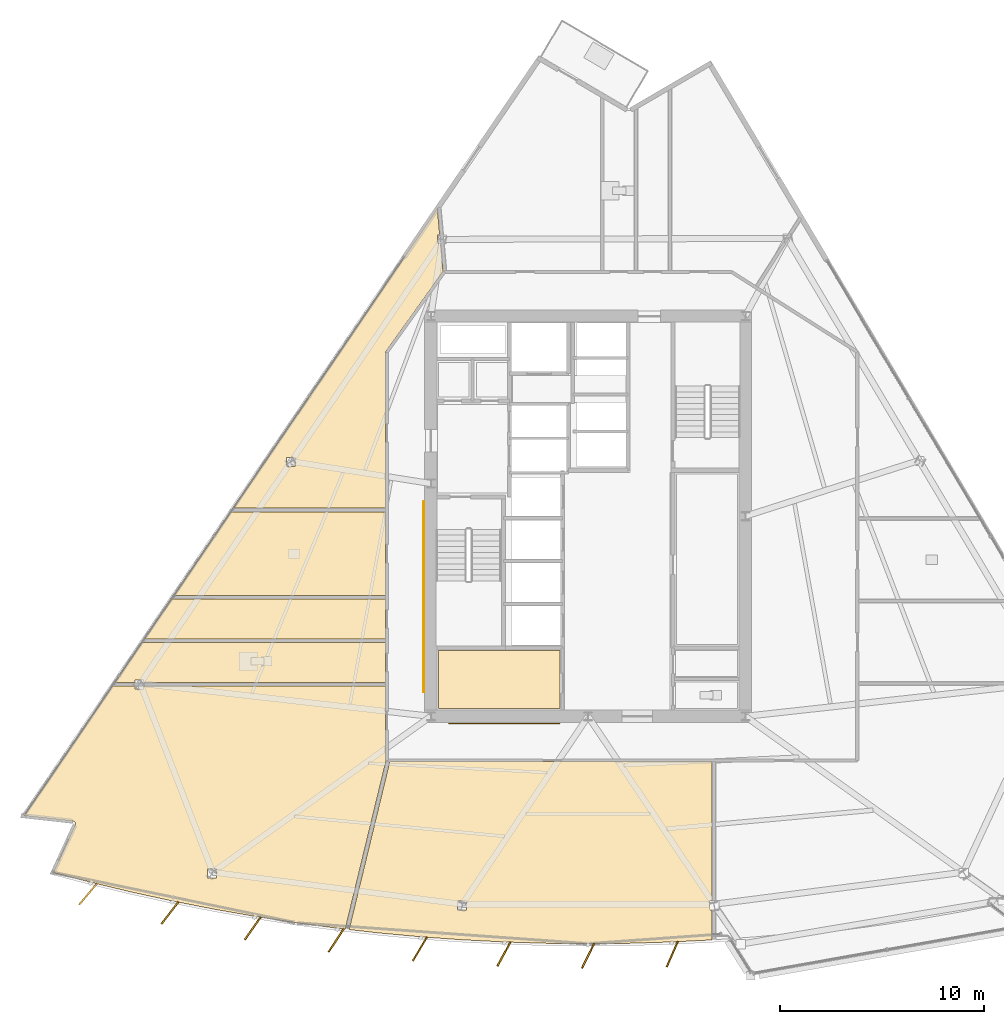
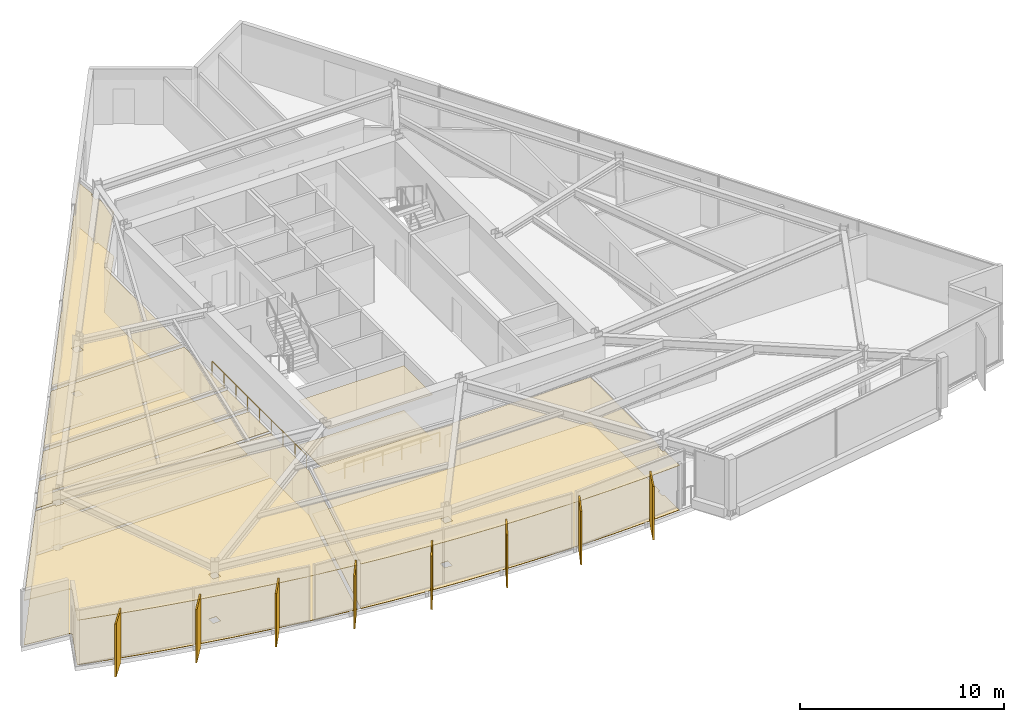
# One storey, part 11 of 15: 14 coverings, 8 shading devices, 2 railings.
"""IFC4 building model written with IfcOpenShell, lengths in metres."""

from ifc_helpers import new_model, si_unit, direction, frame, origin, origin_2d, place, context, subcontext, project, spatial, polyline, rectangle, circle, outline, extrude, material, layer, layer_set, type_object, element, save


model = new_model("IFC4")

# Units and contexts
model_context = context("Model", 3, precision=1e-05, world=origin(), true_north=direction((0.0, 1.0)))
body_context = subcontext(model_context, "Body", "Model", "MODEL_VIEW")
ifc_project = project(units=[si_unit("LENGTHUNIT", "METRE"), si_unit("AREAUNIT", "SQUARE_METRE"), si_unit("VOLUMEUNIT", "CUBIC_METRE"), si_unit("PLANEANGLEUNIT", "RADIAN"), si_unit("MASSUNIT", "GRAM", prefix="KILO")], contexts=[model_context])

# Site, building, storey
site_placement = place(None, origin())
site = spatial("IfcSite", under=ifc_project, at=site_placement, CompositionType="ELEMENT")
building_placement = place(site_placement, origin())
building = spatial("IfcBuilding", under=site, at=building_placement, Name="Savorim Split Tower", CompositionType="ELEMENT")
storey_placement = place(building_placement, frame((0.0, 0.0, 122.10009765625)))
storey = spatial("IfcBuildingStorey", under=building, at=storey_placement, Name="L32", CompositionType="ELEMENT", Elevation=122.10009765625)

# Coverings
ifc_material_1 = material(Name="Mineral Fibre Acoustic Ceiling")
ifc_layer_1 = layer(ifc_material_1, 0.02490234375)
ifc_layer_set_1 = layer_set([ifc_layer_1], Name="COV-CEIL-25")
covering_type_1 = type_object("IfcCoveringType", Name="COV-CEIL-25", PredefinedType="CEILING", material=ifc_layer_set_1)
covering_1_placement = place(storey_placement, frame((0.0, 0.0, 2.669921875)))
element("IfcCovering", 1, at=covering_1_placement, inside=storey, type_object=covering_type_1, Name="L32 Housekeeping Store Acoustic Ceiling", PredefinedType="CEILING", context=body_context, shape_type="SweptSolid", body=[
    extrude(outline(polyline([(-7.320068359375, -6.179931640625), (-7.320068359375, -9.02001953125), (-1.3798828125, -9.02001953125), (-1.3798828125, -6.179931640625), (-7.320068359375, -6.179931640625)])), origin(), (0.0, 0.0, 1.0), 0.02490234375),
])
covering_2_placement = place(storey_placement, frame((0.0, 0.0, 2.669921875)))
element("IfcCovering", 2, at=covering_2_placement, inside=storey, type_object=covering_type_1, Name="L32 Shared Kitchen Acoustic Ceiling", PredefinedType="CEILING", context=body_context, shape_type="SweptSolid", body=[
    extrude(outline(polyline([(-17.4912109375, 0.6025390625), (-20.262939453125, -3.4716796875), (-9.919921875, -3.4716796875), (-9.919921875, 0.6025390625), (-17.4912109375, 0.6025390625)])), origin(), (0.0, 0.0, 1.0), 0.02490234375),
])
covering_3_placement = place(storey_placement, frame((0.0, 0.0, 2.669921875)))
element("IfcCovering", 3, at=covering_3_placement, inside=storey, type_object=covering_type_1, Name="L32 Co-Living Bedroom Acoustic Ceiling", PredefinedType="CEILING", context=body_context, shape_type="SweptSolid", body=[
    extrude(outline(polyline([(-20.39208984375, -3.66162109375), (-21.71337890625, -5.60400390625), (-9.919921875, -5.60400390625), (-9.919921875, -3.661865234375), (-20.39208984375, -3.66162109375)])), origin(), (0.0, 0.0, 1.0), 0.02490234375),
])
covering_4_placement = place(storey_placement, frame((0.0, 0.0, 2.669921875)))
element("IfcCovering", 4, at=covering_4_placement, inside=storey, type_object=covering_type_1, Name="L32 Shared Bathroom Acoustic Ceiling", PredefinedType="CEILING", context=body_context, shape_type="SweptSolid", body=[
    extrude(outline(polyline([(-21.7626953125, -7.613037109375), (-21.7626953125, -7.736083984375), (-9.919921875, -7.736083984375), (-9.919921875, -5.7939453125), (-21.8427734375, -5.7939453125), (-23.163818359375, -7.736083984375), (-22.188720703125, -7.736083984375), (-22.188720703125, -7.613037109375), (-21.7626953125, -7.613037109375)])), origin(), (0.0, 0.0, 1.0), 0.02490234375),
])
covering_5_placement = place(storey_placement, frame((0.0, 0.0, 2.669921875)))
element("IfcCovering", 5, at=covering_5_placement, inside=storey, type_object=covering_type_1, Name="L32 Maker Workshop Acoustic Ceiling", PredefinedType="CEILING", context=body_context, shape_type="SweptSolid", body=[
    extrude(outline(polyline([(-25.099609375, -14.64453125), (-25.099365234375, -14.656494140625), (-25.100341796875, -14.66845703125), (-25.1025390625, -14.68017578125), (-25.105712890625, -14.691650390625), (-25.1103515625, -14.70263671875), (-26.186279296875, -17.044921875), (-24.34130859375, -17.52734375), (-22.348876953125, -18.005126953125), (-20.34716796875, -18.44189453125), (-18.336669921875, -18.837890625), (-16.318603515625, -19.1923828125), (-14.2939453125, -19.505615234375), (-12.262939453125, -19.77734375), (-11.89306640625, -19.819091796875), (-9.89208984375, -11.563720703125), (-9.896484375, -11.557861328125), (-9.903564453125, -11.5458984375), (-9.9091796875, -11.53369140625), (-9.9140625, -11.5205078125), (-9.917236328125, -11.50732421875), (-9.919189453125, -11.49365234375), (-9.919921875, -11.47998046875), (-9.919921875, -7.926025390625), (-21.7626953125, -7.926025390625), (-21.7626953125, -8.049072265625), (-22.188720703125, -8.049072265625), (-22.188720703125, -7.926025390625), (-23.168212890625, -7.926025390625), (-23.26318359375, -7.926025390625), (-23.26318359375, -7.8818359375), (-27.605712890625, -14.265380859375), (-25.2060546875, -14.533203125), (-25.194091796875, -14.535400390625), (-25.1826171875, -14.538330078125), (-25.17138671875, -14.54248046875), (-25.160888671875, -14.5478515625), (-25.150634765625, -14.55419921875), (-25.141357421875, -14.561279296875), (-25.132568359375, -14.569580078125), (-25.124755859375, -14.57861328125), (-25.117919921875, -14.58837890625), (-25.112060546875, -14.598876953125), (-25.107177734375, -14.609619140625), (-25.103515625, -14.62109375), (-25.10107421875, -14.6328125), (-25.099609375, -14.64453125)]), holes=[polyline([(-18.62890625, -17.311279296875), (-18.202880859375, -17.311279296875), (-18.202880859375, -16.875244140625), (-18.62890625, -16.875244140625), (-18.62890625, -17.311279296875)])]), origin(), (0.0, 0.0, 1.0), 0.02490234375),
])
covering_6_placement = place(storey_placement, frame((0.0, 0.0, 2.669921875)))
element("IfcCovering", 6, at=covering_6_placement, inside=storey, type_object=covering_type_1, Name="L32 Co-Working Commons Acoustic Ceiling", PredefinedType="CEILING", context=body_context, shape_type="SweptSolid", body=[
    extrude(outline(polyline([(5.959228515625, -18.447021484375), (6.0771484375, -18.447021484375), (6.0771484375, -11.6201171875), (-9.710205078125, -11.6201171875), (-11.70263671875, -19.8408203125), (-10.22705078125, -20.007568359375), (-8.186767578125, -20.196044921875), (-6.14306640625, -20.342529296875), (-4.0966796875, -20.447509765625), (-2.048828125, -20.51025390625), (0.0, -20.53125), (2.048828125, -20.51025390625), (4.0966796875, -20.447509765625), (6.0771484375, -20.345947265625), (6.0771484375, -18.883056640625), (5.959228515625, -18.883056640625), (5.959228515625, -18.447021484375)]), holes=[polyline([(-6.38525390625, -18.883056640625), (-5.959228515625, -18.883056640625), (-5.959228515625, -18.447021484375), (-6.38525390625, -18.447021484375), (-6.38525390625, -18.883056640625)])]), origin(), (0.0, 0.0, 1.0), 0.02490234375),
])
covering_7_placement = place(storey_placement, frame((0.0, 0.0, 2.669921875)))
element("IfcCovering", 7, at=covering_7_placement, inside=storey, type_object=covering_type_1, Name="L32 Maker Workshop Acoustic Ceiling", PredefinedType="CEILING", context=body_context, shape_type="SweptSolid", body=[
    extrude(outline(polyline([(-7.11376953125, 12.361572265625), (-7.105712890625, 12.3720703125), (-7.1044921875, 12.373046875), (-7.22802734375, 13.740966796875), (-7.365478515625, 13.740966796875), (-7.365478515625, 14.177001953125), (-7.267578125, 14.177001953125), (-7.383544921875, 15.4609375), (-17.362060546875, 0.79248046875), (-9.919921875, 0.79248046875), (-9.919921875, 8.39990234375), (-9.919189453125, 8.41455078125), (-9.9169921875, 8.4287109375), (-9.913330078125, 8.44287109375), (-9.908203125, 8.456298828125), (-9.901611328125, 8.46923828125), (-9.893798828125, 8.4814453125), (-7.11376953125, 12.361572265625)]), holes=[polyline([(-14.777099609375, 3.281982421875), (-14.777099609375, 2.845947265625), (-14.35107421875, 2.845947265625), (-14.35107421875, 3.281982421875), (-14.777099609375, 3.281982421875)])]), origin(), (0.0, 0.0, 1.0), 0.02490234375),
])
ifc_material_2 = material(Name="Porcelain Stoneware Flooring", Category="masonry")
ifc_layer_2 = layer(ifc_material_2, 0.02001953125)
ifc_layer_set_2 = layer_set([ifc_layer_2], Name="COV-FLOR-20")
covering_type_2 = type_object("IfcCoveringType", Name="COV-FLOR-20", PredefinedType="FLOORING", material=ifc_layer_set_2)
covering_8_placement = place(storey_placement, origin())
element("IfcCovering", 8, at=covering_8_placement, inside=storey, type_object=covering_type_2, Name="L32 Housekeeping Store Porcelain Flooring", PredefinedType="FLOORING", context=body_context, shape_type="SweptSolid", body=[
    extrude(outline(polyline([(-7.320068359375, -6.179931640625), (-7.320068359375, -9.02001953125), (-1.3798828125, -9.02001953125), (-1.3798828125, -6.179931640625), (-7.320068359375, -6.179931640625)])), origin(), (0.0, 0.0, 1.0), 0.02001953125),
])
covering_9_placement = place(storey_placement, origin())
element("IfcCovering", 9, at=covering_9_placement, inside=storey, type_object=covering_type_2, Name="L32 Shared Kitchen Porcelain Flooring", PredefinedType="FLOORING", context=body_context, shape_type="SweptSolid", body=[
    extrude(outline(polyline([(-17.4912109375, 0.6025390625), (-20.262939453125, -3.4716796875), (-9.919921875, -3.4716796875), (-9.919921875, 0.6025390625), (-17.4912109375, 0.6025390625)])), origin(), (0.0, 0.0, 1.0), 0.02001953125),
])
covering_10_placement = place(storey_placement, origin())
element("IfcCovering", 10, at=covering_10_placement, inside=storey, type_object=covering_type_2, Name="L32 Co-Living Bedroom Porcelain Flooring", PredefinedType="FLOORING", context=body_context, shape_type="SweptSolid", body=[
    extrude(outline(polyline([(-20.39208984375, -3.66162109375), (-21.71337890625, -5.60400390625), (-9.919921875, -5.60400390625), (-9.919921875, -3.661865234375), (-20.39208984375, -3.66162109375)])), origin(), (0.0, 0.0, 1.0), 0.02001953125),
])
covering_11_placement = place(storey_placement, origin())
element("IfcCovering", 11, at=covering_11_placement, inside=storey, type_object=covering_type_2, Name="L32 Shared Bathroom Porcelain Flooring", PredefinedType="FLOORING", context=body_context, shape_type="SweptSolid", body=[
    extrude(outline(polyline([(-21.7626953125, -7.613037109375), (-21.7626953125, -7.736083984375), (-9.919921875, -7.736083984375), (-9.919921875, -5.7939453125), (-21.8427734375, -5.7939453125), (-23.163818359375, -7.736083984375), (-22.188720703125, -7.736083984375), (-22.188720703125, -7.613037109375), (-21.7626953125, -7.613037109375)])), origin(), (0.0, 0.0, 1.0), 0.02001953125),
])
covering_12_placement = place(storey_placement, origin())
element("IfcCovering", 12, at=covering_12_placement, inside=storey, type_object=covering_type_2, Name="L32 Maker Workshop Porcelain Flooring", PredefinedType="FLOORING", context=body_context, shape_type="SweptSolid", body=[
    extrude(outline(polyline([(-25.099609375, -14.64453125), (-25.099365234375, -14.656494140625), (-25.100341796875, -14.66845703125), (-25.1025390625, -14.68017578125), (-25.105712890625, -14.691650390625), (-25.1103515625, -14.70263671875), (-26.186279296875, -17.044921875), (-24.34130859375, -17.52734375), (-22.348876953125, -18.005126953125), (-20.34716796875, -18.44189453125), (-18.336669921875, -18.837890625), (-16.318603515625, -19.1923828125), (-14.2939453125, -19.505615234375), (-12.262939453125, -19.77734375), (-11.89306640625, -19.819091796875), (-9.89208984375, -11.563720703125), (-9.896484375, -11.557861328125), (-9.903564453125, -11.5458984375), (-9.9091796875, -11.53369140625), (-9.9140625, -11.5205078125), (-9.917236328125, -11.50732421875), (-9.919189453125, -11.49365234375), (-9.919921875, -11.47998046875), (-9.919921875, -7.926025390625), (-21.7626953125, -7.926025390625), (-21.7626953125, -8.049072265625), (-22.188720703125, -8.049072265625), (-22.188720703125, -7.926025390625), (-23.168212890625, -7.926025390625), (-23.26318359375, -7.926025390625), (-23.26318359375, -7.8818359375), (-27.605712890625, -14.265380859375), (-25.2060546875, -14.533203125), (-25.194091796875, -14.535400390625), (-25.1826171875, -14.538330078125), (-25.17138671875, -14.54248046875), (-25.160888671875, -14.5478515625), (-25.150634765625, -14.55419921875), (-25.141357421875, -14.561279296875), (-25.132568359375, -14.569580078125), (-25.124755859375, -14.57861328125), (-25.117919921875, -14.58837890625), (-25.112060546875, -14.598876953125), (-25.107177734375, -14.609619140625), (-25.103515625, -14.62109375), (-25.10107421875, -14.6328125), (-25.099609375, -14.64453125)]), holes=[polyline([(-18.62890625, -17.311279296875), (-18.202880859375, -17.311279296875), (-18.202880859375, -16.875244140625), (-18.62890625, -16.875244140625), (-18.62890625, -17.311279296875)])]), origin(), (0.0, 0.0, 1.0), 0.02001953125),
])
covering_13_placement = place(storey_placement, origin())
element("IfcCovering", 13, at=covering_13_placement, inside=storey, type_object=covering_type_2, Name="L32 Co-Working Commons Porcelain Flooring", PredefinedType="FLOORING", context=body_context, shape_type="SweptSolid", body=[
    extrude(outline(polyline([(5.959228515625, -18.447021484375), (6.0771484375, -18.447021484375), (6.0771484375, -11.6201171875), (-9.710205078125, -11.6201171875), (-11.70263671875, -19.8408203125), (-10.22705078125, -20.007568359375), (-8.186767578125, -20.196044921875), (-6.14306640625, -20.342529296875), (-4.0966796875, -20.447509765625), (-2.048828125, -20.51025390625), (0.0, -20.53125), (2.048828125, -20.51025390625), (4.0966796875, -20.447509765625), (6.0771484375, -20.345947265625), (6.0771484375, -18.883056640625), (5.959228515625, -18.883056640625), (5.959228515625, -18.447021484375)]), holes=[polyline([(-6.38525390625, -18.883056640625), (-5.959228515625, -18.883056640625), (-5.959228515625, -18.447021484375), (-6.38525390625, -18.447021484375), (-6.38525390625, -18.883056640625)])]), origin(), (0.0, 0.0, 1.0), 0.02001953125),
])
covering_14_placement = place(storey_placement, origin())
element("IfcCovering", 14, at=covering_14_placement, inside=storey, type_object=covering_type_2, Name="L32 Maker Workshop Porcelain Flooring", PredefinedType="FLOORING", context=body_context, shape_type="SweptSolid", body=[
    extrude(outline(polyline([(-7.11376953125, 12.361572265625), (-7.105712890625, 12.3720703125), (-7.1044921875, 12.373046875), (-7.22802734375, 13.740966796875), (-7.365478515625, 13.740966796875), (-7.365478515625, 14.177001953125), (-7.267578125, 14.177001953125), (-7.383544921875, 15.4609375), (-17.362060546875, 0.79248046875), (-9.919921875, 0.79248046875), (-9.919921875, 8.39990234375), (-9.919189453125, 8.41455078125), (-9.9169921875, 8.4287109375), (-9.913330078125, 8.44287109375), (-9.908203125, 8.456298828125), (-9.901611328125, 8.46923828125), (-9.893798828125, 8.4814453125), (-7.11376953125, 12.361572265625)]), holes=[polyline([(-14.777099609375, 3.281982421875), (-14.777099609375, 2.845947265625), (-14.35107421875, 2.845947265625), (-14.35107421875, 3.281982421875), (-14.777099609375, 3.281982421875)])]), origin(), (0.0, 0.0, 1.0), 0.02001953125),
])

# Railings
ifc_material_3 = material(Name="Galvanised Painted Steel Balustrade", Category="steel")
railing_type = type_object("IfcRailingType", Name="RLG-HR-900", PredefinedType="HANDRAIL", material=ifc_material_3)
railing_1_placement = place(storey_placement, frame((-6.800048828125, -9.75, 0.0)))
element("IfcRailing", 15, at=railing_1_placement, inside=storey, type_object=railing_type, Name="L32 Corridor South Accessible Handrail", PredefinedType="HANDRAIL", context=body_context, shape_type="SweptSolid", body=[
    extrude(circle(Radius=0.02392578125, at=origin_2d()), frame((0.0, 0.0, 0.8759765625), z_axis=(1.0, 0.0, 0.0), x_axis=(0.0, 1.0, 0.0)), (0.0, 0.0, 1.0), 5.400146484375),
    extrude(circle(Radius=0.02099609375, at=origin_2d()), origin(), (0.0, 0.0, 1.0), 0.851806640625),
    extrude(circle(Radius=0.02099609375, at=origin_2d()), frame((1.080078125, 0.0, 0.0)), (0.0, 0.0, 1.0), 0.851806640625),
    extrude(circle(Radius=0.02099609375, at=origin_2d()), frame((2.16015625, 0.0, 0.0)), (0.0, 0.0, 1.0), 0.851806640625),
    extrude(circle(Radius=0.02099609375, at=origin_2d()), frame((3.239990234375, 0.0, 0.0)), (0.0, 0.0, 1.0), 0.851806640625),
    extrude(circle(Radius=0.02099609375, at=origin_2d()), frame((4.320068359375, 0.0, 0.0)), (0.0, 0.0, 1.0), 0.851806640625),
    extrude(circle(Radius=0.02099609375, at=origin_2d()), frame((5.400146484375, 0.0, 0.0)), (0.0, 0.0, 1.0), 0.851806640625),
])
railing_2_placement = place(storey_placement, frame((-8.050048828125, -8.199951171875, 0.0)))
element("IfcRailing", 16, at=railing_2_placement, inside=storey, type_object=railing_type, Name="L32 Corridor West Accessible Handrail", PredefinedType="HANDRAIL", context=body_context, shape_type="SweptSolid", body=[
    extrude(circle(Radius=0.02392578125, at=origin_2d()), frame((0.0, 0.0, 0.8759765625), z_axis=(0.0, 1.0, 0.0), x_axis=(-1.0, 0.0, 0.0)), (0.0, 0.0, 1.0), 9.300048828125),
    extrude(circle(Radius=0.02099609375, at=origin_2d()), origin(), (0.0, 0.0, 1.0), 0.851806640625),
    extrude(circle(Radius=0.02099609375, at=origin_2d()), frame((0.0, 1.16259765625, 0.0)), (0.0, 0.0, 1.0), 0.851806640625),
    extrude(circle(Radius=0.02099609375, at=origin_2d()), frame((0.0, 2.324951171875, 0.0)), (0.0, 0.0, 1.0), 0.851806640625),
    extrude(circle(Radius=0.02099609375, at=origin_2d()), frame((0.0, 3.487548828125, 0.0)), (0.0, 0.0, 1.0), 0.851806640625),
    extrude(circle(Radius=0.02099609375, at=origin_2d()), frame((0.0, 4.64990234375, 0.0)), (0.0, 0.0, 1.0), 0.851806640625),
    extrude(circle(Radius=0.02099609375, at=origin_2d()), frame((0.0, 5.8125, 0.0)), (0.0, 0.0, 1.0), 0.851806640625),
    extrude(circle(Radius=0.02099609375, at=origin_2d()), frame((0.0, 6.97509765625, 0.0)), (0.0, 0.0, 1.0), 0.851806640625),
    extrude(circle(Radius=0.02099609375, at=origin_2d()), frame((0.0, 8.137451171875, 0.0)), (0.0, 0.0, 1.0), 0.851806640625),
    extrude(circle(Radius=0.02099609375, at=origin_2d()), frame((0.0, 9.300048828125, 0.0)), (0.0, 0.0, 1.0), 0.851806640625),
])

# Shading devices
ifc_material_4 = material(Name="Terracotta Ceramic-Coated Aluminium Fin", Category="masonry")
shading_device_type = type_object("IfcShadingDeviceType", Name="SHD-FIN-1360", PredefinedType="USERDEFINED", material=ifc_material_4)
for number, where, z_axis, x_axis, name in (
    (17, (-24.486328125, -18.105712890625, -0.2001953125), (0.0, 0.0, 1.0), (-0.643719022682, -0.765261928909, 0.0), "L32 Sawtooth Shading Fin 01"),
    (18, (-20.46826171875, -19.025634765625, -0.2001953125), (0.0, 0.0, 1.0), (-0.611868076908, -0.790959832394, 0.0), "L32 Sawtooth Shading Fin 02"),
    (19, (-16.415771484375, -19.780517578125, -0.2001953125), (0.0, 0.0, 1.0), (-0.578993757737, -0.815331974414, 0.0), "L32 Sawtooth Shading Fin 03"),
    (20, (-12.3359375, -20.368896484375, -0.2001953125), (0.0, 0.0, 1.0), (-0.545148321708, -0.838339613366, 0.0), "L32 Sawtooth Shading Fin 04"),
    (21, (-8.235595703125, -20.7900390625, -0.2001953125), (0.0, 0.0, 1.0), (-0.510391336723, -0.859942255851, 0.0), "L32 Sawtooth Shading Fin 05"),
    (22, (-4.12109375, -21.04296875, -0.2001953125), (0.0, 0.0, 1.0), (-0.474778051978, -0.880105562623, 0.0), "L32 Sawtooth Shading Fin 06"),
    (23, (0.0, -21.127197265625, -0.2001953125), (0.0, 0.0, 1.0), (-0.438371146789, -0.898794046299, 0.0), "L32 Sawtooth Shading Fin 07"),
    (24, (4.12109375, -21.04296875, -0.2001953125), (0.0, 0.0, 1.0), (-0.401230091723, -0.915977299662, 0.0), "L32 Sawtooth Shading Fin 08"),
):
    element("IfcShadingDevice", number, at=place(storey_placement, frame(where, z_axis=z_axis, x_axis=x_axis)), inside=storey, type_object=shading_device_type, Name=name, ObjectType="FIN", PredefinedType="USERDEFINED", context=body_context, shape_type="SweptSolid", body=[
        extrude(rectangle(XDim=1.360107421875, YDim=0.080078125, at=origin_2d()), origin(), (0.0, 0.0, 1.0), 3.199951171875),
    ])

save(model, "model.ifc")
